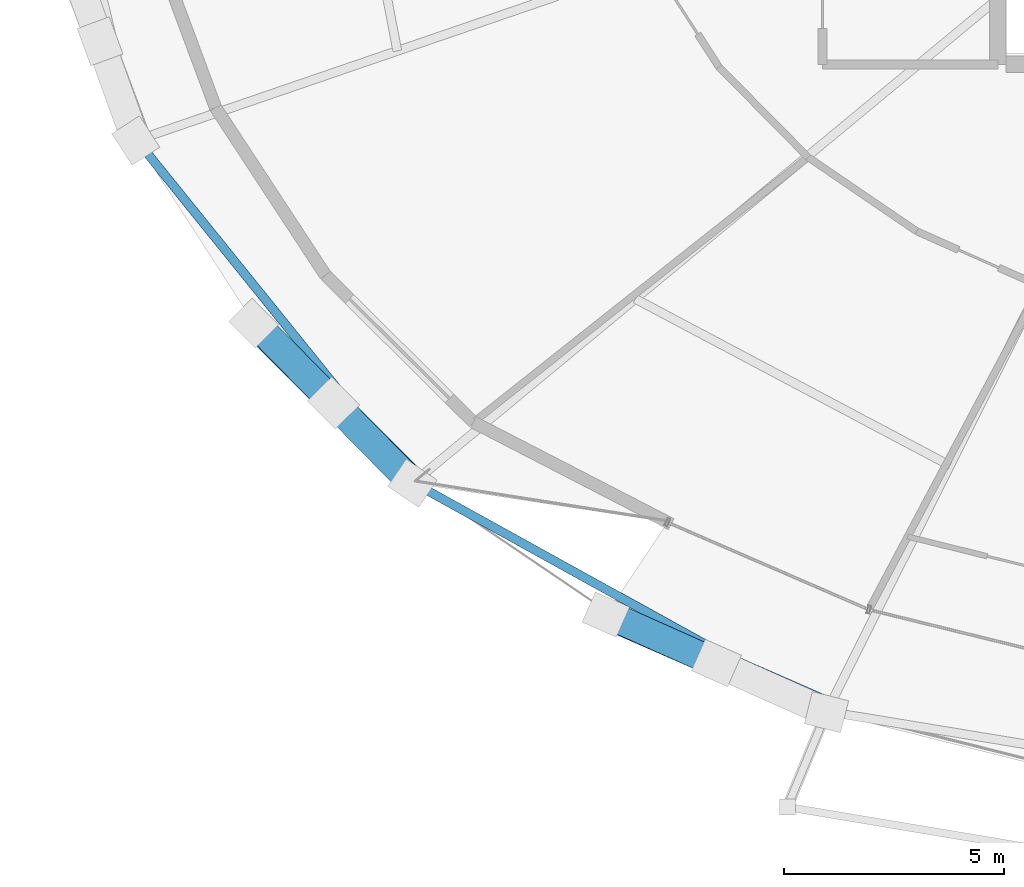
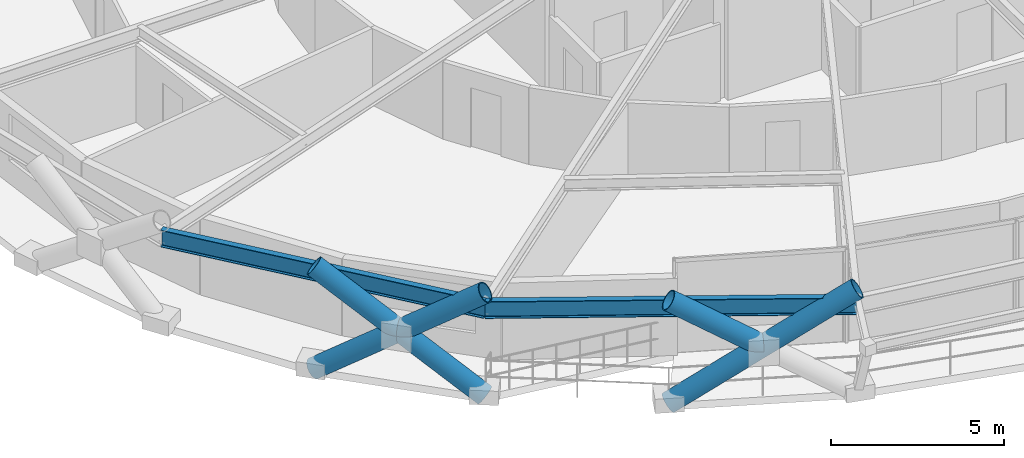
# One storey, part 1 of 20: 5 members, 2 beams.
"""IFC4 building model written with IfcOpenShell, lengths in metres."""

from ifc_helpers import new_model, si_unit, direction, frame, origin, origin_2d, place, context, subcontext, project, spatial, hollow_circle, i_section, extrude, material, material_profile, profile_set, type_object, element, save


model = new_model("IFC4")

# Units and contexts
model_context = context("Model", 3, precision=1e-05, world=origin(), true_north=direction((0.0, 1.0)))
body_context = subcontext(model_context, "Body", "Model", "MODEL_VIEW")
ifc_project = project(units=[si_unit("LENGTHUNIT", "METRE"), si_unit("AREAUNIT", "SQUARE_METRE"), si_unit("VOLUMEUNIT", "CUBIC_METRE"), si_unit("PLANEANGLEUNIT", "RADIAN"), si_unit("MASSUNIT", "GRAM", prefix="KILO")], contexts=[model_context])

# Site, building, storey
site_placement = place(None, origin())
site = spatial("IfcSite", under=ifc_project, at=site_placement, CompositionType="ELEMENT")
building_placement = place(site_placement, origin())
building = spatial("IfcBuilding", under=site, at=building_placement, Name="Veldorina Hangang Commons", CompositionType="ELEMENT")
storey_placement = place(building_placement, frame((0.0, 0.0, 84.39990234375)))
storey = spatial("IfcBuildingStorey", under=building, at=storey_placement, Name="L21", CompositionType="ELEMENT", Elevation=84.39990234375)

# Beams
ifc_material_1 = material(Name="Steel SM420-TMC", Category="steel")
ifc_material_profile_1 = material_profile(ifc_material_1, i_section(OverallWidth=0.199951171875, OverallDepth=0.60009765625, WebThickness=0.010986328125, FlangeThickness=0.01708984375, FilletRadius=0.01806640625, at=origin_2d()), Name="H-600x200x11x17")
ifc_profile_set_1 = profile_set([ifc_material_profile_1], Name="Steel SM420-TMC")
beam_type = type_object("IfcBeamType", Name="BM-RB600", PredefinedType="BEAM", material=ifc_profile_set_1)
beam_1_placement = place(storey_placement, frame((5.248291015625, 14.827392578125, 3.0400390625), z_axis=(0.628103361336, -0.778129916838, 0.0), x_axis=(0.778129916838, 0.628103361336, 0.0)))
element("IfcBeam", 1, at=beam_1_placement, inside=storey, type_object=beam_type, Name="L21 perimeter hoop ring beam 18", PredefinedType="BEAM", context=body_context, shape_type="SweptSolid", body=[
    extrude(i_section(OverallWidth=0.199951171875, OverallDepth=0.60009765625, WebThickness=0.010986328125, FlangeThickness=0.01708984375, FilletRadius=0.01806640625, at=origin_2d()), origin(), (0.0, 0.0, 1.0), 9.993408203125),
])
beam_2_placement = place(storey_placement, frame((11.525146484375, 7.05126953125, 3.0400390625), z_axis=(0.875069702145, -0.483996917746, 0.0), x_axis=(0.483996917746, 0.875069702145, 0.0)))
element("IfcBeam", 2, at=beam_2_placement, inside=storey, type_object=beam_type, Name="L21 perimeter hoop ring beam 20", PredefinedType="BEAM", context=body_context, shape_type="SweptSolid", body=[
    extrude(i_section(OverallWidth=0.199951171875, OverallDepth=0.60009765625, WebThickness=0.010986328125, FlangeThickness=0.01708984375, FilletRadius=0.01806640625, at=origin_2d()), origin(), (0.0, 0.0, 1.0), 10.735107421875),
])

# Members
ifc_material_2 = material(Name="Steel SM460-TMC", Category="steel")
ifc_material_profile_2 = material_profile(ifc_material_2, hollow_circle(Radius=0.324951171875, WallThickness=0.031982421875, at=origin_2d()), Name="CHS-650x32")
ifc_profile_set_2 = profile_set([ifc_material_profile_2], Name="Steel SM460-TMC")
member_type = type_object("IfcMemberType", Name="DG-CHS650", PredefinedType="BRACE", material=ifc_profile_set_2)
member_1_placement = place(storey_placement, frame((7.90478515625, 10.674560546875, 0.0), z_axis=(0.578686572003, -0.578374632607, 0.574982291675), x_axis=(0.706916122139, 0.70729738884, 0.0)))
element("IfcMember", 3, at=member_1_placement, inside=storey, type_object=member_type, Name="L21 continuous perimeter diagrid brace 19", PredefinedType="BRACE", context=body_context, shape_type="SweptSolid", body=[
    extrude(hollow_circle(Radius=0.324951171875, WallThickness=0.031982421875, at=origin_2d()), origin(), (0.0, 0.0, 1.0), 6.26123046875),
])
member_2_placement = place(storey_placement, frame((11.5087890625, 7.039794921875, 0.0), z_axis=(-0.572961978396, 0.583112572181, 0.575929075041), x_axis=(-0.713287843299, -0.700871209711, 0.0)))
element("IfcMember", 4, at=member_2_placement, inside=storey, type_object=member_type, Name="L21 split perimeter diagrid lower brace 20", PredefinedType="BRACE", context=body_context, shape_type="SweptSolid", body=[
    extrude(hollow_circle(Radius=0.324951171875, WallThickness=0.031982421875, at=origin_2d()), origin(), (0.0, 0.0, 1.0), 3.126708984375),
])
member_3_placement = place(storey_placement, frame((9.71728515625, 8.863037109375, 1.80078125), z_axis=(-0.57287979877, 0.583194917231, 0.575927447407), x_axis=(-0.713387570597, -0.700769701199, 0.0)))
element("IfcMember", 5, at=member_3_placement, inside=storey, type_object=member_type, Name="L21 split perimeter diagrid upper brace 20", PredefinedType="BRACE", context=body_context, shape_type="SweptSolid", body=[
    extrude(hollow_circle(Radius=0.324951171875, WallThickness=0.031982421875, at=origin_2d()), origin(), (0.0, 0.0, 1.0), 3.124267578125),
])
member_4_placement = place(storey_placement, frame((15.900146484375, 4.056884765625, 0.0), z_axis=(0.765614766441, -0.335300845486, 0.549005803634), x_axis=(0.401164643346, 0.916005965553, 0.0)))
element("IfcMember", 6, at=member_4_placement, inside=storey, type_object=member_type, Name="L21 continuous perimeter diagrid brace 21", PredefinedType="BRACE", context=body_context, shape_type="SweptSolid", body=[
    extrude(hollow_circle(Radius=0.324951171875, WallThickness=0.031982421875, at=origin_2d()), origin(), (0.0, 0.0, 1.0), 6.557373046875),
])
member_5_placement = place(storey_placement, frame((18.41162109375, 2.95703125, 1.80078125), z_axis=(-0.762651164362, 0.340862182996, 0.549705533628), x_axis=(-0.4080429927, -0.912962713427, 0.0)))
element("IfcMember", 7, at=member_5_placement, inside=storey, type_object=member_type, Name="L21 split perimeter diagrid upper brace 22", PredefinedType="BRACE", context=body_context, shape_type="SweptSolid", body=[
    extrude(hollow_circle(Radius=0.324951171875, WallThickness=0.031982421875, at=origin_2d()), origin(), (0.0, 0.0, 1.0), 3.273193359375),
])

save(model, "model.ifc")
